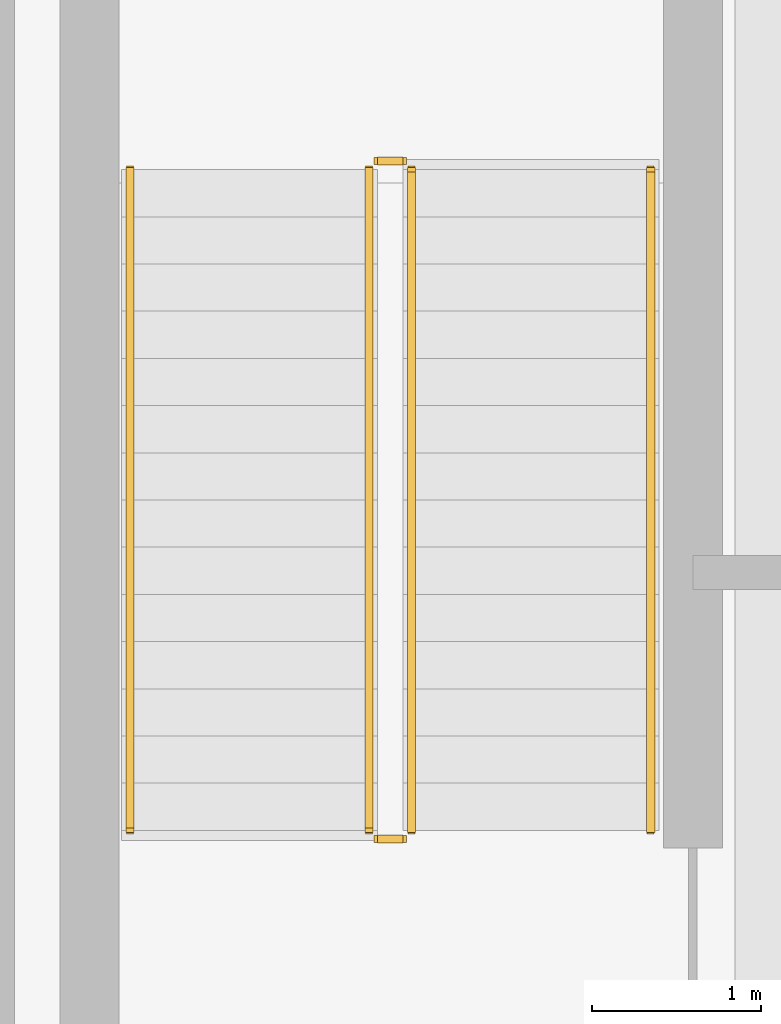
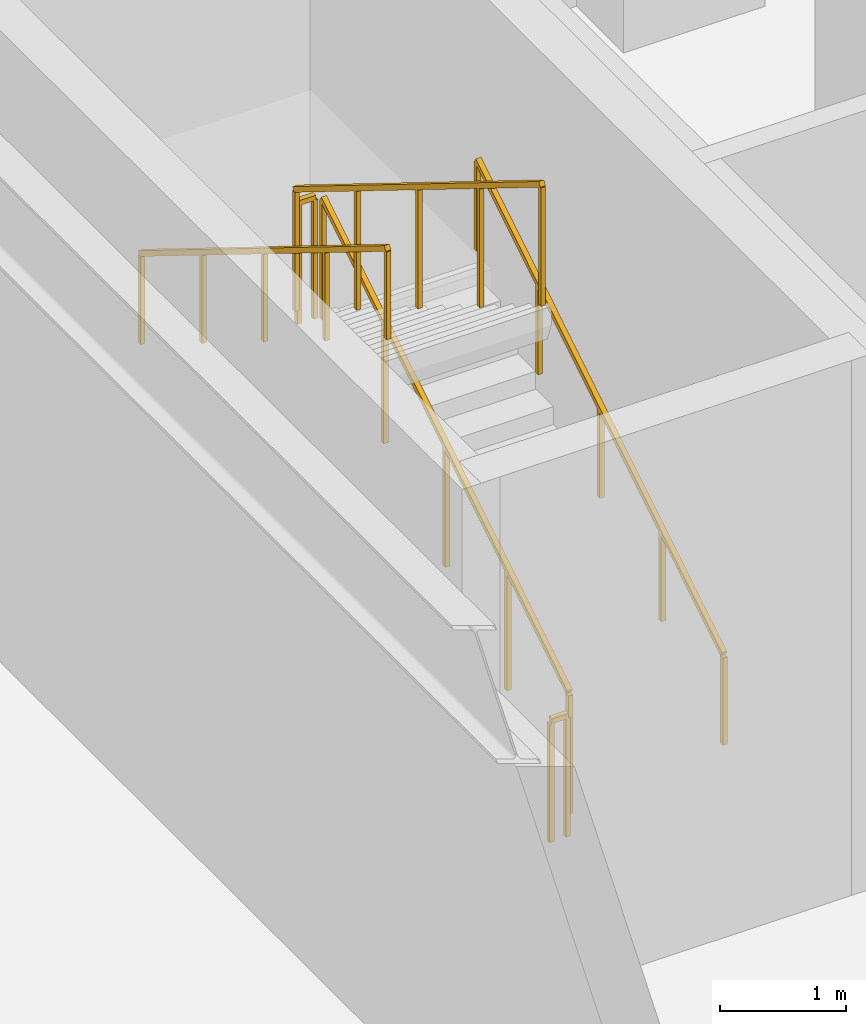
# One storey, part 15 of 16: 6 railings.
"""IFC4 building model written with IfcOpenShell, lengths in metres."""

from ifc_helpers import new_model, si_unit, direction, frame, origin, origin_2d, place, context, subcontext, project, spatial, rectangle, extrude, material, type_object, element, save


model = new_model("IFC4")

# Units and contexts
model_context = context("Model", 3, precision=1e-05, world=origin(), true_north=direction((0.0, 1.0)))
body_context = subcontext(model_context, "Body", "Model", "MODEL_VIEW")
ifc_project = project(units=[si_unit("LENGTHUNIT", "METRE"), si_unit("AREAUNIT", "SQUARE_METRE"), si_unit("VOLUMEUNIT", "CUBIC_METRE"), si_unit("PLANEANGLEUNIT", "RADIAN"), si_unit("MASSUNIT", "GRAM", prefix="KILO")], contexts=[model_context])

# Site, building, storey
site_placement = place(None, origin())
site = spatial("IfcSite", under=ifc_project, at=site_placement, CompositionType="ELEMENT")
building_placement = place(site_placement, origin())
building = spatial("IfcBuilding", under=site, at=building_placement, Name="Orvandelia Arch Residences", CompositionType="ELEMENT")
storey_placement = place(building_placement, origin())
storey = spatial("IfcBuildingStorey", under=building, at=storey_placement, Name="L00", CompositionType="ELEMENT", Elevation=0.0)

# Railings
ifc_material = material(Name="Brushed Stainless Steel 304", Category="steel")
railing_type_1 = type_object("IfcRailingType", Name="RL-STAIR-GD1120", PredefinedType="GUARDRAIL", material=ifc_material)
railing_1_placement = place(storey_placement, frame((45.929931640625, 37.77001953125, 0.17333984375)))
element("IfcRailing", 1, at=railing_1_placement, inside=storey, type_object=railing_type_1, Name="L00 ST-3 stair guard 1", PredefinedType="GUARDRAIL", context=body_context, shape_type="SweptSolid", body=[
    extrude(rectangle(XDim=0.048095703125, YDim=0.048095703125, at=origin_2d()), frame((0.0, 0.0, 1.17578125), z_axis=(0.0, 0.850251603719, 0.526376491091), x_axis=(-1.0, 0.0, 0.0)), (0.0, 0.0, 1.0), 4.6103515625),
    extrude(rectangle(XDim=0.0419921875, YDim=0.0419921875, at=origin_2d()), origin(), (0.0, 0.0, 1.0), 1.15185546875),
    extrude(rectangle(XDim=0.0419921875, YDim=0.0419921875, at=origin_2d()), frame((0.0, 0.97998046875, 0.606689453125)), (0.0, 0.0, 1.0), 1.15185546875),
    extrude(rectangle(XDim=0.0419921875, YDim=0.0419921875, at=origin_2d()), frame((0.0, 1.9599609375, 1.21337890625)), (0.0, 0.0, 1.0), 1.15185546875),
    extrude(rectangle(XDim=0.0419921875, YDim=0.0419921875, at=origin_2d()), frame((0.0, 2.93994140625, 1.820068359375)), (0.0, 0.0, 1.0), 1.15185546875),
    extrude(rectangle(XDim=0.0419921875, YDim=0.0419921875, at=origin_2d()), frame((0.0, 3.919921875, 2.4267578125)), (0.0, 0.0, 1.0), 1.15185546875),
])
railing_2_placement = place(storey_placement, frame((45.8798828125, 41.739990234375, 2.60009765625)))
element("IfcRailing", 2, at=railing_2_placement, inside=storey, type_object=railing_type_1, Name="L00 ST-3 stair guard 2", PredefinedType="GUARDRAIL", context=body_context, shape_type="SweptSolid", body=[
    extrude(rectangle(XDim=0.048095703125, YDim=0.048095703125, at=origin_2d()), frame((0.0, 0.0, 1.17578125), z_axis=(-1.0, 0.0, 0.0), x_axis=(0.0, -1.0, 0.0)), (0.0, 0.0, 1.0), 0.14990234375),
    extrude(rectangle(XDim=0.0419921875, YDim=0.0419921875, at=origin_2d()), origin(), (0.0, 0.0, 1.0), 1.15185546875),
    extrude(rectangle(XDim=0.0419921875, YDim=0.0419921875, at=origin_2d()), frame((-0.14990234375, 0.0, 0.0)), (0.0, 0.0, 1.0), 1.15185546875),
])
railing_3_placement = place(storey_placement, frame((45.679931640625, 41.68994140625, 2.7734375)))
element("IfcRailing", 3, at=railing_3_placement, inside=storey, type_object=railing_type_1, Name="L00 ST-3 stair guard 3", PredefinedType="GUARDRAIL", context=body_context, shape_type="SweptSolid", body=[
    extrude(rectangle(XDim=0.048095703125, YDim=0.048095703125, at=origin_2d()), frame((0.0, 0.0, 1.17578125), z_axis=(0.0, -0.850275303828, 0.526338206574), x_axis=(1.0, 0.0, 0.0)), (0.0, 0.0, 1.0), 4.610107421875),
    extrude(rectangle(XDim=0.0419921875, YDim=0.0419921875, at=origin_2d()), origin(), (0.0, 0.0, 1.0), 1.15185546875),
    extrude(rectangle(XDim=0.0419921875, YDim=0.0419921875, at=origin_2d()), frame((0.0, -0.97998046875, 0.606689453125)), (0.0, 0.0, 1.0), 1.15185546875),
    extrude(rectangle(XDim=0.0419921875, YDim=0.0419921875, at=origin_2d()), frame((0.0, -1.9599609375, 1.21337890625)), (0.0, 0.0, 1.0), 1.15185546875),
    extrude(rectangle(XDim=0.0419921875, YDim=0.0419921875, at=origin_2d()), frame((0.0, -2.93994140625, 1.81982421875)), (0.0, 0.0, 1.0), 1.15185546875),
    extrude(rectangle(XDim=0.0419921875, YDim=0.0419921875, at=origin_2d()), frame((0.0, -3.919921875, 2.426513671875)), (0.0, 0.0, 1.0), 1.15185546875),
])
railing_4_placement = place(storey_placement, frame((45.8798828125, 37.719970703125, 0.0)))
element("IfcRailing", 4, at=railing_4_placement, inside=storey, type_object=railing_type_1, Name="L00 ST-3 stair guard 4", PredefinedType="GUARDRAIL", context=body_context, shape_type="SweptSolid", body=[
    extrude(rectangle(XDim=0.048095703125, YDim=0.048095703125, at=origin_2d()), frame((0.0, 0.0, 1.17578125), z_axis=(-1.0, 0.0, 0.0), x_axis=(0.0, -1.0, 0.0)), (0.0, 0.0, 1.0), 0.14990234375),
    extrude(rectangle(XDim=0.0419921875, YDim=0.0419921875, at=origin_2d()), origin(), (0.0, 0.0, 1.0), 1.15185546875),
    extrude(rectangle(XDim=0.0419921875, YDim=0.0419921875, at=origin_2d()), frame((-0.14990234375, 0.0, 0.0)), (0.0, 0.0, 1.0), 1.15185546875),
])
railing_type_2 = type_object("IfcRailingType", Name="RL-STAIR-HR920", PredefinedType="HANDRAIL", material=ifc_material)
railing_5_placement = place(storey_placement, frame((47.35009765625, 37.77001953125, 0.3466796875)))
element("IfcRailing", 5, at=railing_5_placement, inside=storey, type_object=railing_type_2, Name="L00 ST-3 stair handrail 1", PredefinedType="HANDRAIL", context=body_context, shape_type="SweptSolid", body=[
    extrude(rectangle(XDim=0.048095703125, YDim=0.048095703125, at=origin_2d()), frame((0.0, 0.0, 0.8759765625), z_axis=(0.0, 0.850251603719, 0.526376491091), x_axis=(-1.0, 0.0, 0.0)), (0.0, 0.0, 1.0), 4.6103515625),
    extrude(rectangle(XDim=0.0419921875, YDim=0.0419921875, at=origin_2d()), origin(), (0.0, 0.0, 1.0), 0.851806640625),
    extrude(rectangle(XDim=0.0419921875, YDim=0.0419921875, at=origin_2d()), frame((0.0, 0.97998046875, 0.606689453125)), (0.0, 0.0, 1.0), 0.851806640625),
    extrude(rectangle(XDim=0.0419921875, YDim=0.0419921875, at=origin_2d()), frame((0.0, 1.9599609375, 1.21337890625)), (0.0, 0.0, 1.0), 0.851806640625),
    extrude(rectangle(XDim=0.0419921875, YDim=0.0419921875, at=origin_2d()), frame((0.0, 2.93994140625, 1.820068359375)), (0.0, 0.0, 1.0), 0.851806640625),
    extrude(rectangle(XDim=0.0419921875, YDim=0.0419921875, at=origin_2d()), frame((0.0, 3.919921875, 2.4267578125)), (0.0, 0.0, 1.0), 0.851806640625),
])
railing_6_placement = place(storey_placement, frame((44.260009765625, 41.68994140625, 2.94677734375)))
element("IfcRailing", 6, at=railing_6_placement, inside=storey, type_object=railing_type_2, Name="L00 ST-3 stair handrail 2", PredefinedType="HANDRAIL", context=body_context, shape_type="SweptSolid", body=[
    extrude(rectangle(XDim=0.048095703125, YDim=0.048095703125, at=origin_2d()), frame((0.0, 0.0, 0.8759765625), z_axis=(0.0, -0.850275303828, 0.526338206574), x_axis=(1.0, 0.0, 0.0)), (0.0, 0.0, 1.0), 4.610107421875),
    extrude(rectangle(XDim=0.0419921875, YDim=0.0419921875, at=origin_2d()), origin(), (0.0, 0.0, 1.0), 0.851806640625),
    extrude(rectangle(XDim=0.0419921875, YDim=0.0419921875, at=origin_2d()), frame((0.0, -0.97998046875, 0.606689453125)), (0.0, 0.0, 1.0), 0.851806640625),
    extrude(rectangle(XDim=0.0419921875, YDim=0.0419921875, at=origin_2d()), frame((0.0, -1.9599609375, 1.21337890625)), (0.0, 0.0, 1.0), 0.851806640625),
    extrude(rectangle(XDim=0.0419921875, YDim=0.0419921875, at=origin_2d()), frame((0.0, -2.93994140625, 1.81982421875)), (0.0, 0.0, 1.0), 0.851806640625),
    extrude(rectangle(XDim=0.0419921875, YDim=0.0419921875, at=origin_2d()), frame((0.0, -3.919921875, 2.426513671875)), (0.0, 0.0, 1.0), 0.851806640625),
])

save(model, "model.ifc")
